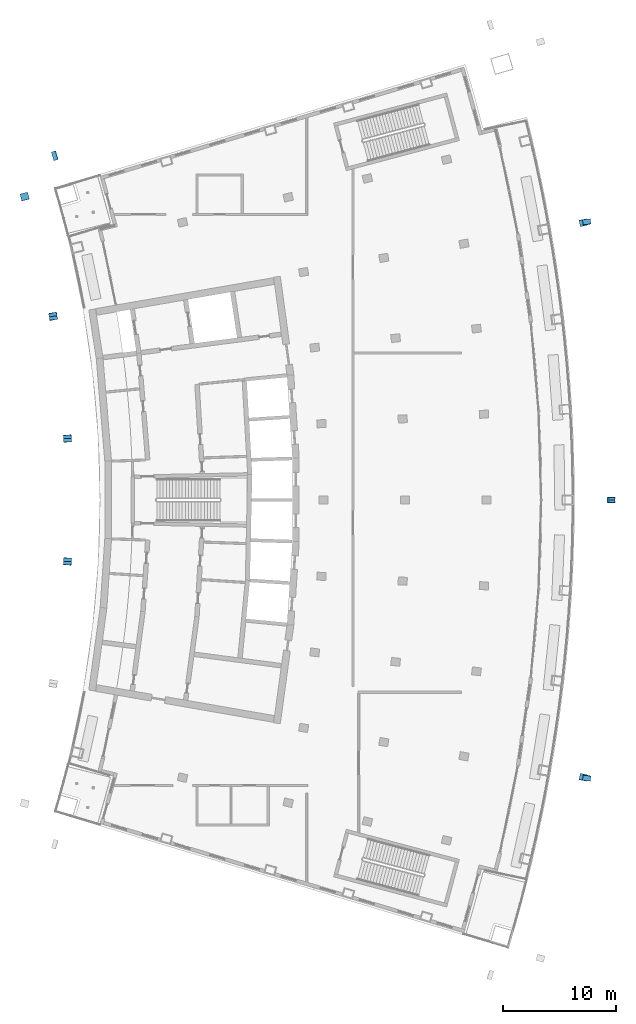
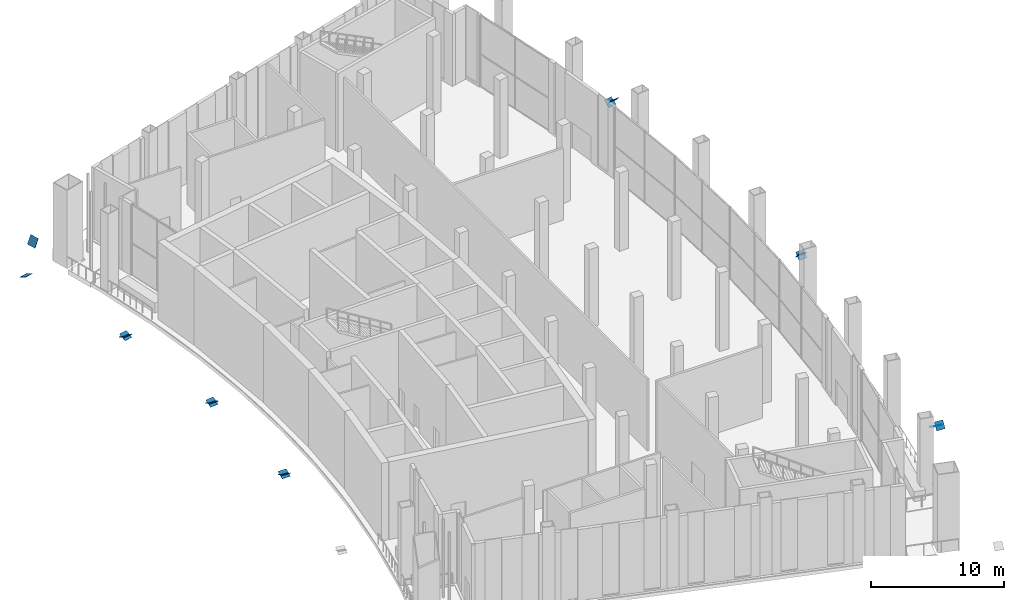
# One storey, part 18 of 24: 14 discrete accessories.
"""IFC4 building model written with IfcOpenShell, lengths in metres."""

from ifc_helpers import new_model, si_unit, direction, frame, origin, origin_2d, place, context, subcontext, project, spatial, rectangle, extrude, material, material_profile, profile_set, type_object, element, save


model = new_model("IFC4")

# Units and contexts
model_context = context("Model", 3, precision=1e-05, world=origin(), true_north=direction((0.0, 1.0)))
body_context = subcontext(model_context, "Body", "Model", "MODEL_VIEW")
ifc_project = project(units=[si_unit("LENGTHUNIT", "METRE"), si_unit("AREAUNIT", "SQUARE_METRE"), si_unit("VOLUMEUNIT", "CUBIC_METRE"), si_unit("PLANEANGLEUNIT", "RADIAN"), si_unit("MASSUNIT", "GRAM", prefix="KILO")], contexts=[model_context])

# Site, building, storey
site_placement = place(None, origin())
site = spatial("IfcSite", under=ifc_project, at=site_placement, CompositionType="ELEMENT")
building_placement = place(site_placement, origin())
building = spatial("IfcBuilding", under=site, at=building_placement, Name="Alderwake Tower", CompositionType="ELEMENT")
storey_placement = place(building_placement, frame((0.0, 0.0, 232.39990234375)))
storey = spatial("IfcBuildingStorey", under=building, at=storey_placement, Name="L58", CompositionType="ELEMENT", Elevation=232.39990234375)

# Discrete accessories
ifc_material_1 = material(Name="Steel ASTM A572 Grade 50", Category="steel")
ifc_material_profile_1 = material_profile(ifc_material_1, rectangle(XDim=0.699951171875, YDim=0.699951171875, at=origin_2d()), Name="BOX 700X700X45 cap")
ifc_profile_set_1 = profile_set([ifc_material_profile_1], Name="Steel ASTM A572 Grade 50")
discrete_accessory_type_1 = type_object("IfcDiscreteAccessoryType", Name="End cap plate BOX 700X700X45", PredefinedType="USERDEFINED", material=ifc_profile_set_1)
for number, where, z_axis, x_axis, name in (
    (1, (58.7822265625, 36.462158203125, 0.0), (0.121834506274, 0.592927930535, 0.795985440993), (-0.979534918634, 0.20127429835, 0.0), "End cap BRF4.2.2A N"),
    (2, (61.228271484375, 61.0, 0.0), (0.057014298419, 0.749330779223, 0.659736881707), (-0.997117895368, 0.075867665952, 0.0), "End cap BRF4.2.4A N"),
    (3, (59.0712890625, 36.410888671875, 0.0), (-0.081311562818, -0.748066377927, 0.658623658827), (0.994144463069, -0.108059180768, 0.0), "End cap BRF4.2.4B2 N"),
    (4, (59.0712890625, 85.589111328125, 0.0), (-0.081311562818, 0.748066377927, 0.658623658827), (-0.994144463069, -0.108059180768, 0.0), "End cap BRF4.2.7A N"),
    (5, (61.228271484375, 61.0, 0.0), (0.057014298419, -0.749330779223, 0.659736881707), (0.997117895368, 0.075867665952, 0.0), "End cap BRF4.2.7B2 N"),
    (6, (58.7822265625, 85.537841796875, 0.0), (0.121834506274, -0.592927930535, 0.795985440993), (0.979534918634, 0.20127429835, 0.0), "End cap BRF4.2.10B2 N"),
    (7, (13.141357421875, 55.560546875, 0.0), (0.048728980643, 0.446682322562, 0.893364645123), (-0.994102176608, 0.108447510175, 0.0), "End cap BRR4.2.4A N"),
    (8, (13.141357421875, 66.439453125, 0.0), (0.0, 0.4472135955, 0.894427191), (-1.0, 0.0, 0.0), "End cap BRR4.2.6A N"),
    (9, (13.141357421875, 55.560546875, 0.0), (0.0, -0.4472135955, 0.894427191), (1.0, 0.0, 0.0), "End cap BRR4.2.6B2 N"),
    (10, (11.875, 77.244384765625, 0.0), (-0.056826119483, 0.446490938798, 0.892981877596), (-0.991997911724, -0.126254279674, 0.0), "End cap BRR4.2.8A N"),
    (11, (13.141357421875, 66.439453125, 0.0), (0.048728980643, -0.446682322562, 0.893364645123), (0.994102176608, 0.108447510175, 0.0), "End cap BRR4.2.8B2 N"),
    (12, (9.359619140625, 87.828369140625, 0.0), (-0.105869651339, 0.43162242469, 0.895820126716), (-0.971210844098, -0.238221527798, 0.0), "End cap BRR4.2.10A N"),
    (13, (11.875, 77.244384765625, 0.0), (0.105495990526, -0.438214114494, 0.892658381376), (0.972223637158, 0.234053838575, 0.0), "End cap BRR4.2.10B2 N"),
):
    element("IfcDiscreteAccessory", number, at=place(storey_placement, frame(where, z_axis=z_axis, x_axis=x_axis)), inside=storey, type_object=discrete_accessory_type_1, Name=name, ObjectType="END CAP", PredefinedType="USERDEFINED", context=body_context, shape_type="SweptSolid", body=[
        extrude(rectangle(XDim=0.699951171875, YDim=0.699951171875, at=origin_2d()), origin(), (0.0, 0.0, 1.0), 0.030029296875),
    ])
ifc_material_2 = material(Name="Steel ASTM A572 Grade 50", Category="steel")
ifc_material_profile_2 = material_profile(ifc_material_2, rectangle(XDim=0.800048828125, YDim=0.800048828125, at=origin_2d()), Name="BOX 800X800X50 cap")
ifc_profile_set_2 = profile_set([ifc_material_profile_2], Name="Steel ASTM A572 Grade 50")
discrete_accessory_type_2 = type_object("IfcDiscreteAccessoryType", Name="End cap plate BOX 800X800X50", PredefinedType="USERDEFINED", material=ifc_profile_set_2)
discrete_accessory_placement = place(storey_placement, frame((12.031005859375, 91.449462890625, 0.0), z_axis=(-0.845193327069, -0.251932626338, 0.471357817019), x_axis=(0.285656661543, -0.958332025822, 0.0)))
element("IfcDiscreteAccessory", 14, at=discrete_accessory_placement, inside=storey, type_object=discrete_accessory_type_2, Name="End cap BRN4.2.0B2 N", ObjectType="END CAP", PredefinedType="USERDEFINED", context=body_context, shape_type="SweptSolid", body=[
    extrude(rectangle(XDim=0.800048828125, YDim=0.800048828125, at=origin_2d()), origin(), (0.0, 0.0, 1.0), 0.030029296875),
])

save(model, "model.ifc")
